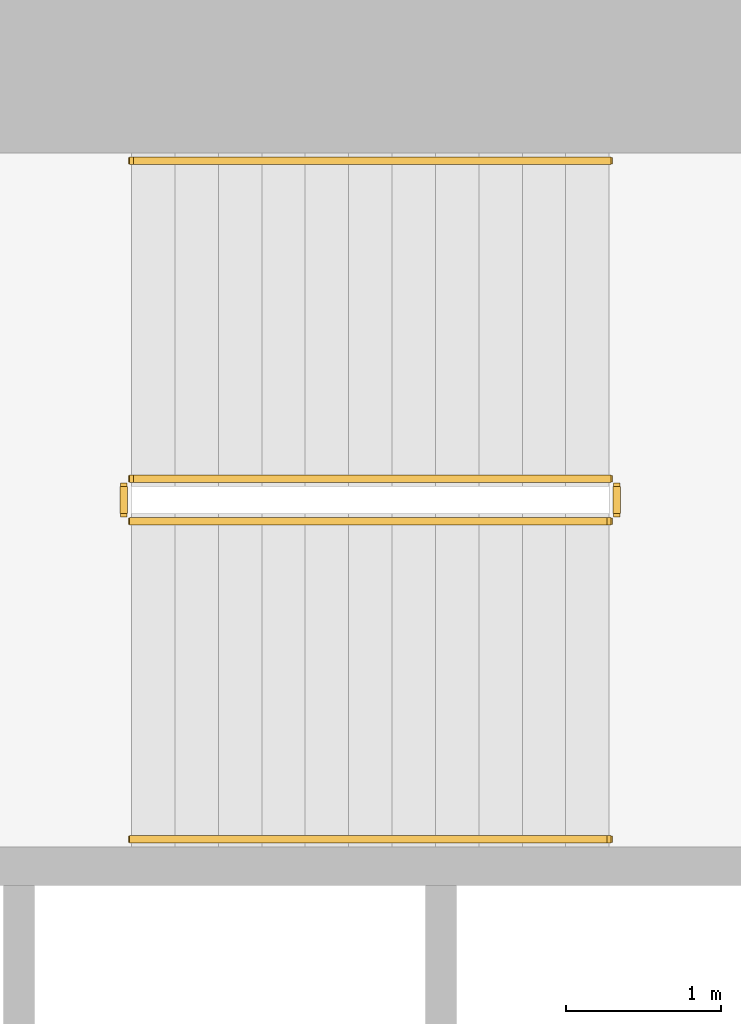
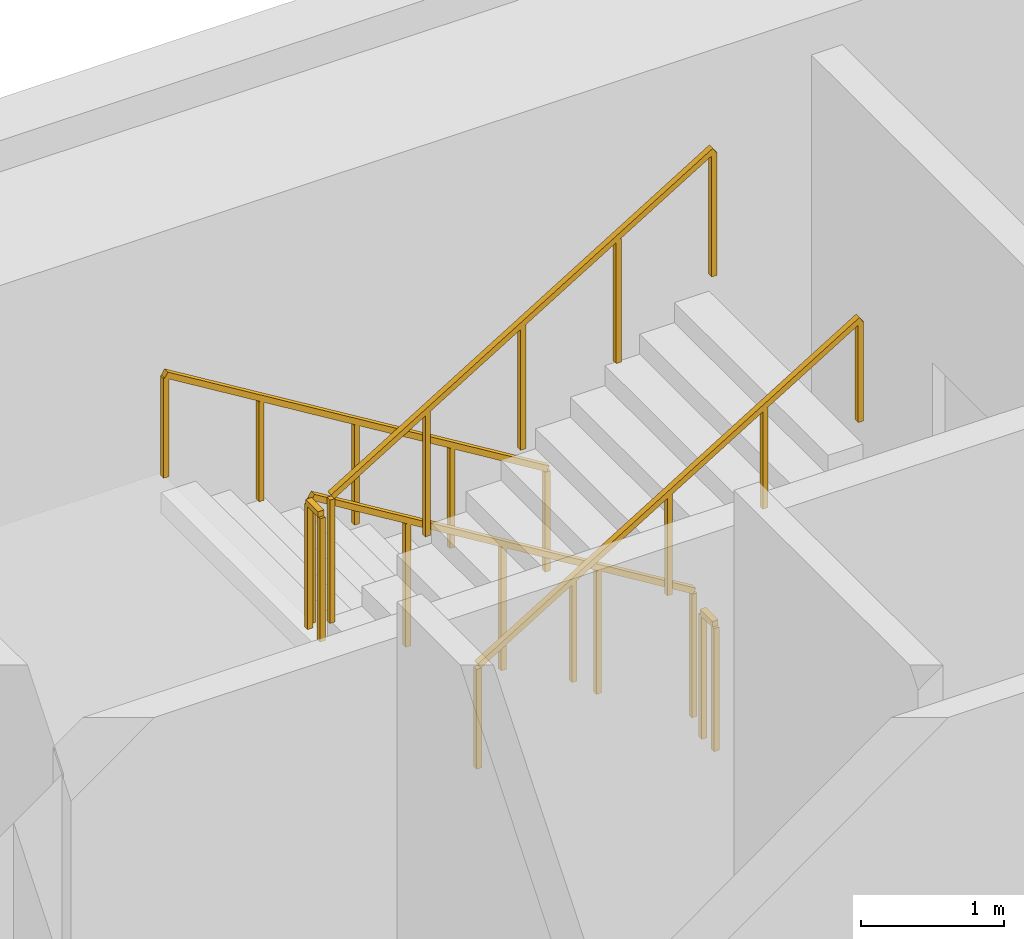
# One storey, part 15 of 17: 6 railings.
"""IFC4 building model written with IfcOpenShell, lengths in metres."""

from ifc_helpers import new_model, si_unit, direction, frame, origin, origin_2d, place, context, subcontext, project, spatial, rectangle, extrude, material, type_object, element, save


model = new_model("IFC4")

# Units and contexts
model_context = context("Model", 3, precision=1e-05, world=origin(), true_north=direction((0.0, 1.0)))
body_context = subcontext(model_context, "Body", "Model", "MODEL_VIEW")
ifc_project = project(units=[si_unit("LENGTHUNIT", "METRE"), si_unit("AREAUNIT", "SQUARE_METRE"), si_unit("VOLUMEUNIT", "CUBIC_METRE"), si_unit("PLANEANGLEUNIT", "RADIAN"), si_unit("MASSUNIT", "GRAM", prefix="KILO")], contexts=[model_context])

# Site, building, storey
site_placement = place(None, origin())
site = spatial("IfcSite", under=ifc_project, at=site_placement, CompositionType="ELEMENT")
building_placement = place(site_placement, origin())
building = spatial("IfcBuilding", under=site, at=building_placement, Name="Cypress Arch Tower", CompositionType="ELEMENT")
storey_placement = place(building_placement, frame((0.0, 0.0, 217.89990234375)))
storey = spatial("IfcBuildingStorey", under=building, at=storey_placement, Name="L48", CompositionType="ELEMENT", Elevation=217.89990234375)

# Railings
ifc_material_1 = material(Name="Black powder-coated steel square bar 48 mm", Category="steel")
railing_type_1 = type_object("IfcRailingType", Name="Stair handrail HR1", PredefinedType="HANDRAIL", material=ifc_material_1)
railing_1_placement = place(storey_placement, frame((-22.27490234375, 14.75, 0.1708984375)))
element("IfcRailing", 1, at=railing_1_placement, inside=storey, type_object=railing_type_1, Name="L48 B stair handrail 1", PredefinedType="HANDRAIL", context=body_context, shape_type="SweptSolid", body=[
    extrude(rectangle(XDim=0.048095703125, YDim=0.048095703125, at=origin_2d()), frame((0.0, 0.0, 0.8759765625), z_axis=(-0.853666305674, 0.0, 0.52082035152), x_axis=(0.0, -1.0, 0.0)), (0.0, 0.0, 1.0), 3.608154296875),
    extrude(rectangle(XDim=0.0419921875, YDim=0.0419921875, at=origin_2d()), origin(), (0.0, 0.0, 1.0), 0.851806640625),
    extrude(rectangle(XDim=0.0419921875, YDim=0.0419921875, at=origin_2d()), frame((-0.77001953125, 0.0, 0.4697265625)), (0.0, 0.0, 1.0), 0.851806640625),
    extrude(rectangle(XDim=0.0419921875, YDim=0.0419921875, at=origin_2d()), frame((-1.5400390625, 0.0, 0.939453125)), (0.0, 0.0, 1.0), 0.851806640625),
    extrude(rectangle(XDim=0.0419921875, YDim=0.0419921875, at=origin_2d()), frame((-2.31005859375, 0.0, 1.409423828125)), (0.0, 0.0, 1.0), 0.851806640625),
    extrude(rectangle(XDim=0.0419921875, YDim=0.0419921875, at=origin_2d()), frame((-3.080078125, 0.0, 1.879150390625)), (0.0, 0.0, 1.0), 0.851806640625),
])
railing_2_placement = place(storey_placement, frame((-25.35498046875, 10.375, 2.220947265625)))
element("IfcRailing", 2, at=railing_2_placement, inside=storey, type_object=railing_type_1, Name="L48 B stair handrail 2", PredefinedType="HANDRAIL", context=body_context, shape_type="SweptSolid", body=[
    extrude(rectangle(XDim=0.048095703125, YDim=0.048095703125, at=origin_2d()), frame((0.0, 0.0, 0.8759765625), z_axis=(0.853666305674, 0.0, 0.52082035152), x_axis=(0.0, 1.0, 0.0)), (0.0, 0.0, 1.0), 3.608154296875),
    extrude(rectangle(XDim=0.0419921875, YDim=0.0419921875, at=origin_2d()), origin(), (0.0, 0.0, 1.0), 0.851806640625),
    extrude(rectangle(XDim=0.0419921875, YDim=0.0419921875, at=origin_2d()), frame((0.77001953125, 0.0, 0.4697265625)), (0.0, 0.0, 1.0), 0.851806640625),
    extrude(rectangle(XDim=0.0419921875, YDim=0.0419921875, at=origin_2d()), frame((1.5400390625, 0.0, 0.939453125)), (0.0, 0.0, 1.0), 0.851806640625),
    extrude(rectangle(XDim=0.0419921875, YDim=0.0419921875, at=origin_2d()), frame((2.31005859375, 0.0, 1.409423828125)), (0.0, 0.0, 1.0), 0.851806640625),
    extrude(rectangle(XDim=0.0419921875, YDim=0.0419921875, at=origin_2d()), frame((3.080078125, 0.0, 1.879150390625)), (0.0, 0.0, 1.0), 0.851806640625),
])
ifc_material_2 = material(Name="Black powder-coated steel balusters", Category="steel")
railing_type_2 = type_object("IfcRailingType", Name="Stair well guard G1", PredefinedType="GUARDRAIL", material=ifc_material_2)
railing_3_placement = place(storey_placement, frame((-22.27490234375, 12.699951171875, 0.1708984375)))
element("IfcRailing", 3, at=railing_3_placement, inside=storey, type_object=railing_type_2, Name="L48 B stair guard 1", PredefinedType="GUARDRAIL", context=body_context, shape_type="SweptSolid", body=[
    extrude(rectangle(XDim=0.048095703125, YDim=0.048095703125, at=origin_2d()), frame((0.0, 0.0, 1.076171875), z_axis=(-0.853666305674, 0.0, 0.52082035152), x_axis=(0.0, -1.0, 0.0)), (0.0, 0.0, 1.0), 3.608154296875),
    extrude(rectangle(XDim=0.0419921875, YDim=0.0419921875, at=origin_2d()), origin(), (0.0, 0.0, 1.0), 1.052001953125),
    extrude(rectangle(XDim=0.0419921875, YDim=0.0419921875, at=origin_2d()), frame((-0.77001953125, 0.0, 0.4697265625)), (0.0, 0.0, 1.0), 1.052001953125),
    extrude(rectangle(XDim=0.0419921875, YDim=0.0419921875, at=origin_2d()), frame((-1.5400390625, 0.0, 0.939453125)), (0.0, 0.0, 1.0), 1.052001953125),
    extrude(rectangle(XDim=0.0419921875, YDim=0.0419921875, at=origin_2d()), frame((-2.31005859375, 0.0, 1.409423828125)), (0.0, 0.0, 1.0), 1.052001953125),
    extrude(rectangle(XDim=0.0419921875, YDim=0.0419921875, at=origin_2d()), frame((-3.080078125, 0.0, 1.879150390625)), (0.0, 0.0, 1.0), 1.052001953125),
])
railing_4_placement = place(storey_placement, frame((-25.405029296875, 12.64990234375, 2.050048828125)))
element("IfcRailing", 4, at=railing_4_placement, inside=storey, type_object=railing_type_2, Name="L48 B stair guard 2", PredefinedType="GUARDRAIL", context=body_context, shape_type="SweptSolid", body=[
    extrude(rectangle(XDim=0.048095703125, YDim=0.048095703125, at=origin_2d()), frame((0.0, 0.0, 1.076171875), z_axis=(0.0, -1.0, 0.0), x_axis=(1.0, 0.0, 0.0)), (0.0, 0.0, 1.0), 0.1748046875),
    extrude(rectangle(XDim=0.0419921875, YDim=0.0419921875, at=origin_2d()), origin(), (0.0, 0.0, 1.0), 1.052001953125),
    extrude(rectangle(XDim=0.0419921875, YDim=0.0419921875, at=origin_2d()), frame((0.0, -0.1748046875, 0.0)), (0.0, 0.0, 1.0), 1.052001953125),
])
railing_5_placement = place(storey_placement, frame((-25.35498046875, 12.425048828125, 2.220947265625)))
element("IfcRailing", 5, at=railing_5_placement, inside=storey, type_object=railing_type_2, Name="L48 B stair guard 3", PredefinedType="GUARDRAIL", context=body_context, shape_type="SweptSolid", body=[
    extrude(rectangle(XDim=0.048095703125, YDim=0.048095703125, at=origin_2d()), frame((0.0, 0.0, 1.076171875), z_axis=(0.853666305674, 0.0, 0.52082035152), x_axis=(0.0, 1.0, 0.0)), (0.0, 0.0, 1.0), 3.608154296875),
    extrude(rectangle(XDim=0.0419921875, YDim=0.0419921875, at=origin_2d()), origin(), (0.0, 0.0, 1.0), 1.052001953125),
    extrude(rectangle(XDim=0.0419921875, YDim=0.0419921875, at=origin_2d()), frame((0.77001953125, 0.0, 0.4697265625)), (0.0, 0.0, 1.0), 1.052001953125),
    extrude(rectangle(XDim=0.0419921875, YDim=0.0419921875, at=origin_2d()), frame((1.5400390625, 0.0, 0.939453125)), (0.0, 0.0, 1.0), 1.052001953125),
    extrude(rectangle(XDim=0.0419921875, YDim=0.0419921875, at=origin_2d()), frame((2.31005859375, 0.0, 1.409423828125)), (0.0, 0.0, 1.0), 1.052001953125),
    extrude(rectangle(XDim=0.0419921875, YDim=0.0419921875, at=origin_2d()), frame((3.080078125, 0.0, 1.879150390625)), (0.0, 0.0, 1.0), 1.052001953125),
])
railing_6_placement = place(storey_placement, frame((-22.22509765625, 12.64990234375, 0.0)))
element("IfcRailing", 6, at=railing_6_placement, inside=storey, type_object=railing_type_2, Name="L48 B stair guard 4", PredefinedType="GUARDRAIL", context=body_context, shape_type="SweptSolid", body=[
    extrude(rectangle(XDim=0.048095703125, YDim=0.048095703125, at=origin_2d()), frame((0.0, 0.0, 1.076171875), z_axis=(0.0, -1.0, 0.0), x_axis=(1.0, 0.0, 0.0)), (0.0, 0.0, 1.0), 0.1748046875),
    extrude(rectangle(XDim=0.0419921875, YDim=0.0419921875, at=origin_2d()), origin(), (0.0, 0.0, 1.0), 1.052001953125),
    extrude(rectangle(XDim=0.0419921875, YDim=0.0419921875, at=origin_2d()), frame((0.0, -0.1748046875, 0.0)), (0.0, 0.0, 1.0), 1.052001953125),
])

save(model, "model.ifc")
